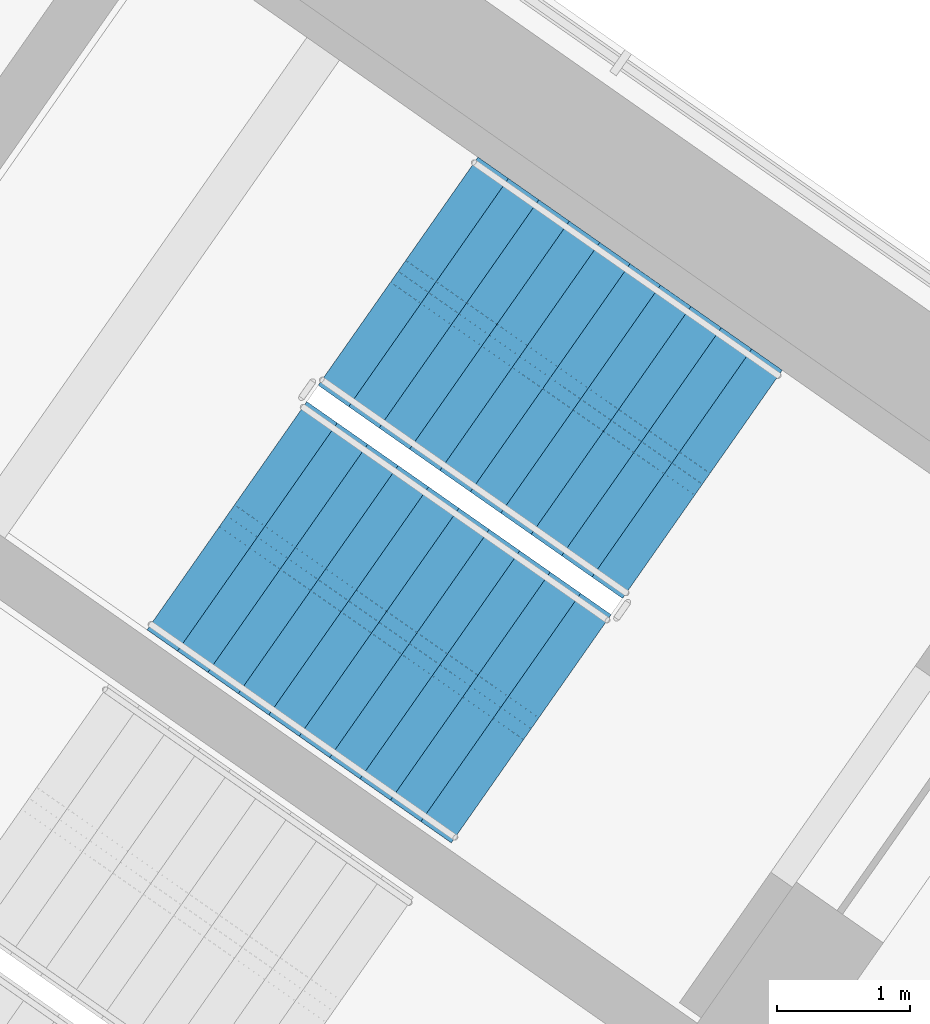
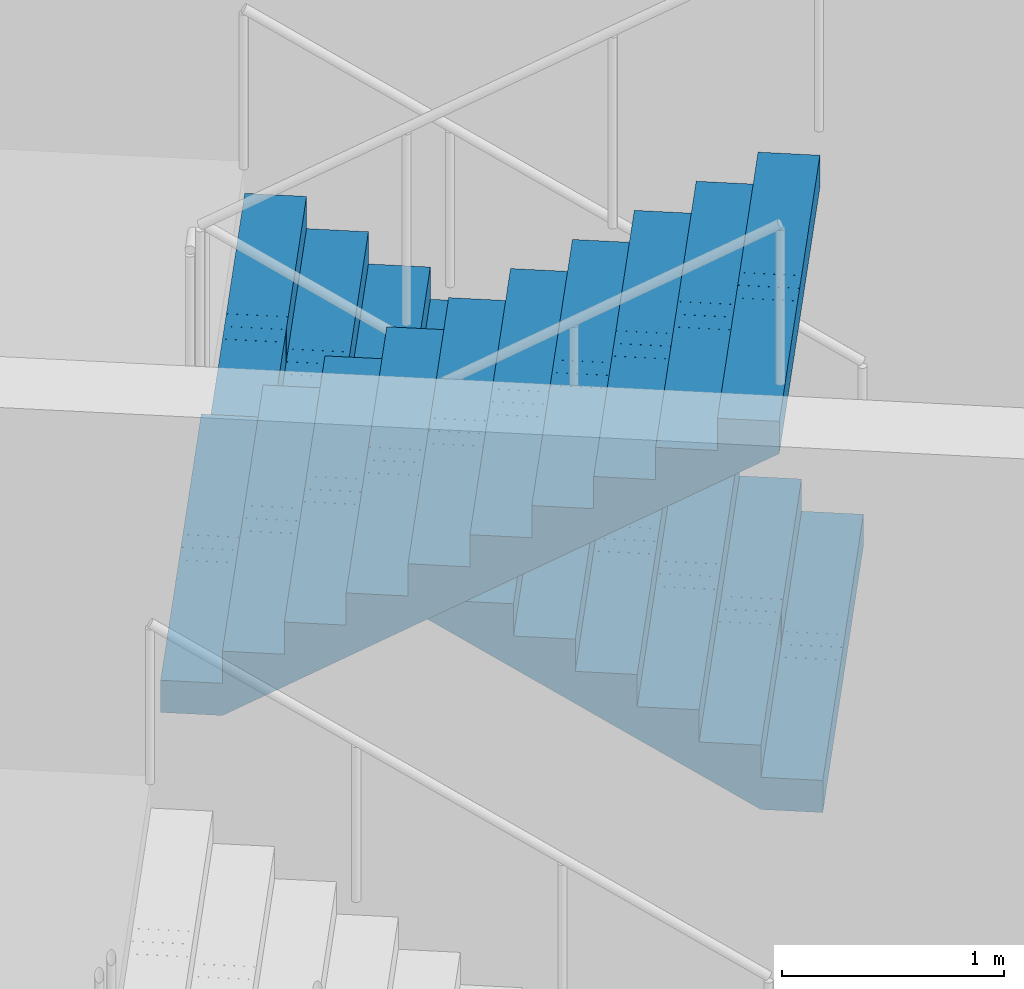
# One storey, part 17 of 23: 2 stair flights, 1 element without a shape of its own.
"""IFC4 building model written with IfcOpenShell, lengths in metres."""

from ifc_helpers import new_model, si_unit, direction, frame, origin, place, context, subcontext, project, spatial, polyline, outline, extrude, material, type_object, element, aggregate, save


model = new_model("IFC4")

# Units and contexts
model_context = context("Model", 3, precision=1e-05, world=origin(), true_north=direction((0.0, 1.0)))
body_context = subcontext(model_context, "Body", "Model", "MODEL_VIEW")
ifc_project = project(units=[si_unit("LENGTHUNIT", "METRE"), si_unit("AREAUNIT", "SQUARE_METRE"), si_unit("VOLUMEUNIT", "CUBIC_METRE"), si_unit("PLANEANGLEUNIT", "RADIAN"), si_unit("MASSUNIT", "GRAM", prefix="KILO")], contexts=[model_context])

# Site, building, storey
site_placement = place(None, origin())
site = spatial("IfcSite", under=ifc_project, at=site_placement, CompositionType="ELEMENT")
building_placement = place(site_placement, origin())
building = spatial("IfcBuilding", under=site, at=building_placement, Name="Tel Ilan Convention Tower", CompositionType="ELEMENT")
storey_placement = place(building_placement, frame((0.0, 0.0, 190.5)))
storey = spatial("IfcBuildingStorey", under=building, at=storey_placement, Name="L44", CompositionType="ELEMENT", Elevation=190.5)

# Stair, stair flights
ifc_material_1 = material(Name="Concrete C40/50", Category="concrete")
stair_type = type_object("IfcStairType", Name="Pressurised Exit Stair 22 risers 177 mm", PredefinedType="HALF_TURN_STAIR", material=ifc_material_1)
stair_placement = place(storey_placement, origin())
stair = element("IfcStair", 1, at=stair_placement, inside=storey, type_object=stair_type, Name="L44 Pressurised Stair S3", PredefinedType="HALF_TURN_STAIR")
ifc_material_2 = material(Name="Precast Concrete C40/50", Category="concrete")
stair_flight_type = type_object("IfcStairFlightType", Name="Concrete Stair Flight 2100 mm 22 risers 177 mm", PredefinedType="STRAIGHT", material=ifc_material_2)
stair_flight_1_placement = place(storey_placement, frame((24.25244140625, -7.032470703125, 0.0), z_axis=(0.0, 0.0, 1.0), x_axis=(-0.819152044289, 0.573576436351, 0.0)))
stair_flight_1 = element("IfcStairFlight", 2, at=stair_flight_1_placement, type_object=stair_flight_type, Name="S3 flight 1", NumberOfRisers=11, NumberOfTreads=10, PredefinedType="STRAIGHT", RiserHeight=0.177272727, TreadLength=0.28, context=body_context, shape_type="SweptSolid", body=[
    extrude(outline(polyline([(0.0, 0.0), (0.0, 0.17724609375), (0.280029296875, 0.17724609375), (0.280029296875, 0.3544921875), (0.56005859375, 0.3544921875), (0.56005859375, 0.53173828125), (0.840087890625, 0.53173828125), (0.840087890625, 0.708984375), (1.1201171875, 0.708984375), (1.1201171875, 0.886474609375), (1.39990234375, 0.886474609375), (1.39990234375, 1.063720703125), (1.679931640625, 1.063720703125), (1.679931640625, 1.240966796875), (1.9599609375, 1.240966796875), (1.9599609375, 1.418212890625), (2.239990234375, 1.418212890625), (2.239990234375, 1.595458984375), (2.52001953125, 1.595458984375), (2.52001953125, 1.772705078125), (2.800048828125, 1.772705078125), (2.800048828125, 1.949951171875), (2.800048828125, 1.59521484375), (0.2802734375, 0.0), (0.0, 0.0)])), frame((0.0, -0.100341796875, 0.0), z_axis=(0.0, -1.0, 0.0), x_axis=(1.0, 0.0, 0.0)), (0.0, 0.0, 1.0), 0.94970703125),
    extrude(outline(polyline([(0.0, 0.0), (0.0, 0.17724609375), (0.280029296875, 0.17724609375), (0.280029296875, 0.3544921875), (0.56005859375, 0.3544921875), (0.56005859375, 0.53173828125), (0.840087890625, 0.53173828125), (0.840087890625, 0.708984375), (1.1201171875, 0.708984375), (1.1201171875, 0.886474609375), (1.39990234375, 0.886474609375), (1.39990234375, 1.063720703125), (1.679931640625, 1.063720703125), (1.679931640625, 1.240966796875), (1.9599609375, 1.240966796875), (1.9599609375, 1.418212890625), (2.239990234375, 1.418212890625), (2.239990234375, 1.595458984375), (2.52001953125, 1.595458984375), (2.52001953125, 1.772705078125), (2.800048828125, 1.772705078125), (2.800048828125, 1.949951171875), (2.800048828125, 1.59521484375), (0.2802734375, 0.0), (0.0, 0.0)])), frame((0.0, -0.000244140625, 0.0), z_axis=(0.0, -1.0, 0.0), x_axis=(1.0, 0.0, 0.0)), (0.0, 0.0, 1.0), 0.099609375),
    extrude(outline(polyline([(0.0, 0.0), (0.0, 0.17724609375), (0.280029296875, 0.17724609375), (0.280029296875, 0.3544921875), (0.56005859375, 0.3544921875), (0.56005859375, 0.53173828125), (0.840087890625, 0.53173828125), (0.840087890625, 0.708984375), (1.1201171875, 0.708984375), (1.1201171875, 0.886474609375), (1.39990234375, 0.886474609375), (1.39990234375, 1.063720703125), (1.679931640625, 1.063720703125), (1.679931640625, 1.240966796875), (1.9599609375, 1.240966796875), (1.9599609375, 1.418212890625), (2.239990234375, 1.418212890625), (2.239990234375, 1.595458984375), (2.52001953125, 1.595458984375), (2.52001953125, 1.772705078125), (2.800048828125, 1.772705078125), (2.800048828125, 1.949951171875), (2.800048828125, 1.59521484375), (0.2802734375, 0.0), (0.0, 0.0)])), frame((0.0, 0.099853515625, 0.0), z_axis=(0.0, -1.0, 0.0), x_axis=(1.0, 0.0, 0.0)), (0.0, 0.0, 1.0), 0.099609375),
    extrude(outline(polyline([(0.0, 0.0), (0.0, 0.17724609375), (0.280029296875, 0.17724609375), (0.280029296875, 0.3544921875), (0.56005859375, 0.3544921875), (0.56005859375, 0.53173828125), (0.840087890625, 0.53173828125), (0.840087890625, 0.708984375), (1.1201171875, 0.708984375), (1.1201171875, 0.886474609375), (1.39990234375, 0.886474609375), (1.39990234375, 1.063720703125), (1.679931640625, 1.063720703125), (1.679931640625, 1.240966796875), (1.9599609375, 1.240966796875), (1.9599609375, 1.418212890625), (2.239990234375, 1.418212890625), (2.239990234375, 1.595458984375), (2.52001953125, 1.595458984375), (2.52001953125, 1.772705078125), (2.800048828125, 1.772705078125), (2.800048828125, 1.949951171875), (2.800048828125, 1.59521484375), (0.2802734375, 0.0), (0.0, 0.0)])), frame((0.0, 1.050048828125, 0.0), z_axis=(0.0, -1.0, 0.0), x_axis=(1.0, 0.0, 0.0)), (0.0, 0.0, 1.0), 0.94970703125),
])
stair_flight_2_placement = place(storey_placement, frame((20.668212890625, -7.26953125, 1.949951171875), z_axis=(0.0, 0.0, 1.0), x_axis=(0.819152044289, -0.573576436351, 0.0)))
stair_flight_2 = element("IfcStairFlight", 3, at=stair_flight_2_placement, type_object=stair_flight_type, Name="S3 flight 2", NumberOfRisers=11, NumberOfTreads=10, PredefinedType="STRAIGHT", RiserHeight=0.177272727, TreadLength=0.28, context=body_context, shape_type="SweptSolid", body=[
    extrude(outline(polyline([(0.0, 0.0), (0.0, 0.17724609375), (0.280029296875, 0.17724609375), (0.280029296875, 0.3544921875), (0.56005859375, 0.3544921875), (0.56005859375, 0.53173828125), (0.840087890625, 0.53173828125), (0.840087890625, 0.708984375), (1.1201171875, 0.708984375), (1.1201171875, 0.886474609375), (1.39990234375, 0.886474609375), (1.39990234375, 1.063720703125), (1.679931640625, 1.063720703125), (1.679931640625, 1.240966796875), (1.9599609375, 1.240966796875), (1.9599609375, 1.418212890625), (2.239990234375, 1.418212890625), (2.239990234375, 1.595458984375), (2.52001953125, 1.595458984375), (2.52001953125, 1.772705078125), (2.800048828125, 1.772705078125), (2.800048828125, 1.949951171875), (2.800048828125, 1.59521484375), (0.2802734375, 0.0), (0.0, 0.0)])), frame((0.0, -0.100341796875, 0.0), z_axis=(0.0, -1.0, 0.0), x_axis=(1.0, 0.0, 0.0)), (0.0, 0.0, 1.0), 0.94970703125),
    extrude(outline(polyline([(0.0, 0.0), (0.0, 0.17724609375), (0.280029296875, 0.17724609375), (0.280029296875, 0.3544921875), (0.56005859375, 0.3544921875), (0.56005859375, 0.53173828125), (0.840087890625, 0.53173828125), (0.840087890625, 0.708984375), (1.1201171875, 0.708984375), (1.1201171875, 0.886474609375), (1.39990234375, 0.886474609375), (1.39990234375, 1.063720703125), (1.679931640625, 1.063720703125), (1.679931640625, 1.240966796875), (1.9599609375, 1.240966796875), (1.9599609375, 1.418212890625), (2.239990234375, 1.418212890625), (2.239990234375, 1.595458984375), (2.52001953125, 1.595458984375), (2.52001953125, 1.772705078125), (2.800048828125, 1.772705078125), (2.800048828125, 1.949951171875), (2.800048828125, 1.59521484375), (0.2802734375, 0.0), (0.0, 0.0)])), frame((0.0, -0.000244140625, 0.0), z_axis=(0.0, -1.0, 0.0), x_axis=(1.0, 0.0, 0.0)), (0.0, 0.0, 1.0), 0.099609375),
    extrude(outline(polyline([(0.0, 0.0), (0.0, 0.17724609375), (0.280029296875, 0.17724609375), (0.280029296875, 0.3544921875), (0.56005859375, 0.3544921875), (0.56005859375, 0.53173828125), (0.840087890625, 0.53173828125), (0.840087890625, 0.708984375), (1.1201171875, 0.708984375), (1.1201171875, 0.886474609375), (1.39990234375, 0.886474609375), (1.39990234375, 1.063720703125), (1.679931640625, 1.063720703125), (1.679931640625, 1.240966796875), (1.9599609375, 1.240966796875), (1.9599609375, 1.418212890625), (2.239990234375, 1.418212890625), (2.239990234375, 1.595458984375), (2.52001953125, 1.595458984375), (2.52001953125, 1.772705078125), (2.800048828125, 1.772705078125), (2.800048828125, 1.949951171875), (2.800048828125, 1.59521484375), (0.2802734375, 0.0), (0.0, 0.0)])), frame((0.0, 0.099853515625, 0.0), z_axis=(0.0, -1.0, 0.0), x_axis=(1.0, 0.0, 0.0)), (0.0, 0.0, 1.0), 0.099609375),
    extrude(outline(polyline([(0.0, 0.0), (0.0, 0.17724609375), (0.280029296875, 0.17724609375), (0.280029296875, 0.3544921875), (0.56005859375, 0.3544921875), (0.56005859375, 0.53173828125), (0.840087890625, 0.53173828125), (0.840087890625, 0.708984375), (1.1201171875, 0.708984375), (1.1201171875, 0.886474609375), (1.39990234375, 0.886474609375), (1.39990234375, 1.063720703125), (1.679931640625, 1.063720703125), (1.679931640625, 1.240966796875), (1.9599609375, 1.240966796875), (1.9599609375, 1.418212890625), (2.239990234375, 1.418212890625), (2.239990234375, 1.595458984375), (2.52001953125, 1.595458984375), (2.52001953125, 1.772705078125), (2.800048828125, 1.772705078125), (2.800048828125, 1.949951171875), (2.800048828125, 1.59521484375), (0.2802734375, 0.0), (0.0, 0.0)])), frame((0.0, 1.050048828125, 0.0), z_axis=(0.0, -1.0, 0.0), x_axis=(1.0, 0.0, 0.0)), (0.0, 0.0, 1.0), 0.94970703125),
])
aggregate(stair, [stair_flight_1, stair_flight_2])

save(model, "model.ifc")
